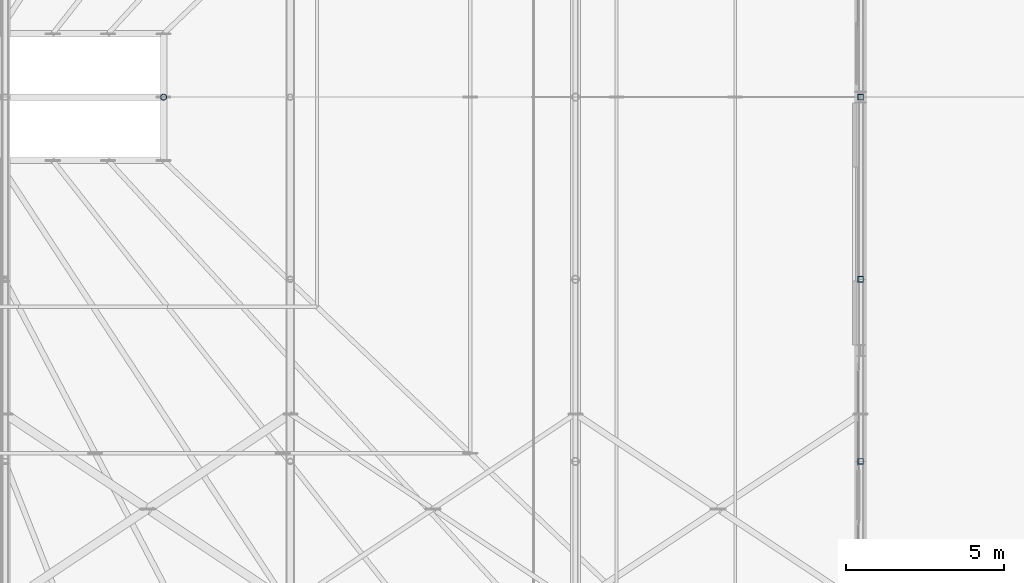
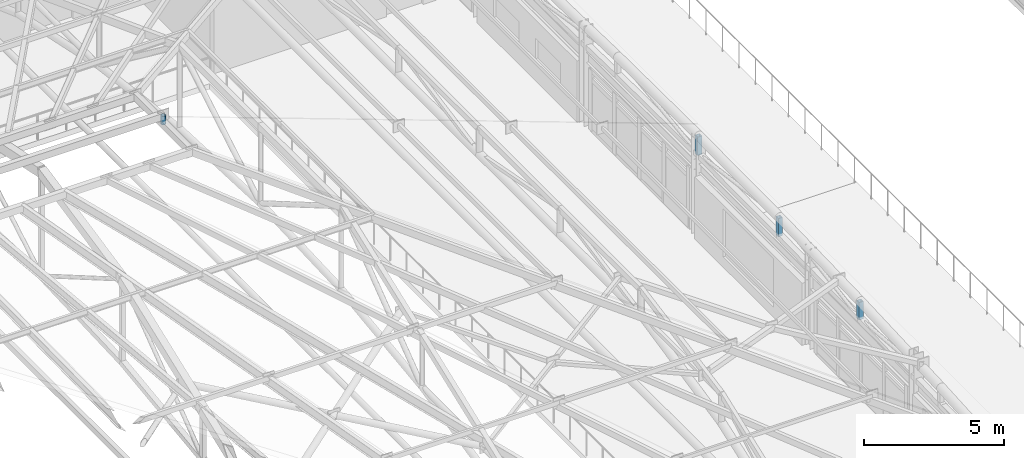
# One storey, part 129 of 168: 4 members.
"""IFC4 building model written with IfcOpenShell, lengths in metres."""

from ifc_helpers import new_model, si_unit, direction, frame, origin, origin_2d, place, context, subcontext, project, spatial, hollow_rectangle, hollow_circle, extrude, material, material_profile, profile_set, type_object, element, save


model = new_model("IFC4")

# Units and contexts
model_context = context("Model", 3, precision=1e-05, world=origin(), true_north=direction((0.0, 1.0)))
body_context = subcontext(model_context, "Body", "Model", "MODEL_VIEW")
ifc_project = project(units=[si_unit("LENGTHUNIT", "METRE"), si_unit("AREAUNIT", "SQUARE_METRE"), si_unit("VOLUMEUNIT", "CUBIC_METRE"), si_unit("PLANEANGLEUNIT", "RADIAN"), si_unit("MASSUNIT", "GRAM", prefix="KILO"), si_unit("THERMODYNAMICTEMPERATUREUNIT", "KELVIN"), si_unit("POWERUNIT", "WATT")], contexts=[model_context])

# Site, building, storey
site_placement = place(None, origin())
site = spatial("IfcSite", under=ifc_project, at=site_placement, CompositionType="ELEMENT")
building_placement = place(site_placement, origin())
building = spatial("IfcBuilding", under=site, at=building_placement, Name="Tepalcoro Natatorium and Aquatics Centre", CompositionType="ELEMENT")
storey_placement = place(building_placement, frame((0.0, 0.0, 10.199951171875)))
storey = spatial("IfcBuildingStorey", under=building, at=storey_placement, Name="L02", CompositionType="ELEMENT", Elevation=10.199951171875)

# Members
ifc_material = material(Name="Terracotta Painted Hollow Steel ASTM A500 Grade C (Fy 345 MPa)", Category="masonry")
ifc_material_profile_1 = material_profile(ifc_material, hollow_circle(Radius=0.096923828125, WallThickness=0.010009765625, at=origin_2d()), Name="CHS194X10")
ifc_profile_set_1 = profile_set([ifc_material_profile_1], Name="Terracotta Painted Hollow Steel ASTM A500 Grade C (Fy 345 MPa)")
member_type_1 = type_object("IfcMemberType", Name="MB_PS_CHS194x10", PredefinedType="POST", material=ifc_profile_set_1)
member_1_placement = place(storey_placement, frame((103.0, 36.0, 12.525146484375), z_axis=(0.0, 0.0, 1.0), x_axis=(1.0, 0.0, 0.0)))
element("IfcMember", 1, at=member_1_placement, inside=storey, type_object=member_type_1, Name="Pyramid Lantern King-Post E", PredefinedType="POST", context=body_context, shape_type="SweptSolid", body=[
    extrude(hollow_circle(Radius=0.096923828125, WallThickness=0.010009765625, at=origin_2d()), origin(), (0.0, 0.0, 1.0), 0.364990234375),
])
ifc_material_profile_2 = material_profile(ifc_material, hollow_rectangle(XDim=0.179931640625, YDim=0.179931640625, WallThickness=0.010009765625, at=origin_2d()), Name="HSS180X180X10")
ifc_profile_set_2 = profile_set([ifc_material_profile_2], Name="Terracotta Painted Hollow Steel ASTM A500 Grade C (Fy 345 MPa)")
member_type_2 = type_object("IfcMemberType", Name="MB_PS_HSS180x180x10", PredefinedType="POST", material=ifc_profile_set_2)
member_2_placement = place(storey_placement, frame((125.0, 24.5, 3.324951171875), z_axis=(0.0, 0.0, 1.0), x_axis=(1.0, 0.0, 0.0)))
element("IfcMember", 2, at=member_2_placement, inside=storey, type_object=member_type_2, Name="V1 Arched Truss Vertical Post 9", PredefinedType="POST", context=body_context, shape_type="SweptSolid", body=[
    extrude(hollow_rectangle(XDim=0.179931640625, YDim=0.179931640625, WallThickness=0.010009765625, at=origin_2d()), origin(), (0.0, 0.0, 1.0), 0.7626953125),
])
member_3_placement = place(storey_placement, frame((125.0, 30.25, 3.456298828125), z_axis=(0.0, 0.0, 1.0), x_axis=(1.0, 0.0, 0.0)))
element("IfcMember", 3, at=member_3_placement, inside=storey, type_object=member_type_2, Name="V1 Arched Truss Vertical Post 9", PredefinedType="POST", context=body_context, shape_type="SweptSolid", body=[
    extrude(hollow_rectangle(XDim=0.179931640625, YDim=0.179931640625, WallThickness=0.010009765625, at=origin_2d()), origin(), (0.0, 0.0, 1.0), 0.790771484375),
])
member_4_placement = place(storey_placement, frame((125.0, 36.0, 3.5), z_axis=(0.0, 0.0, 1.0), x_axis=(1.0, 0.0, 0.0)))
element("IfcMember", 4, at=member_4_placement, inside=storey, type_object=member_type_2, Name="V1 Arched Truss Vertical Post 9", PredefinedType="POST", context=body_context, shape_type="SweptSolid", body=[
    extrude(hollow_rectangle(XDim=0.179931640625, YDim=0.179931640625, WallThickness=0.010009765625, at=origin_2d()), origin(), (0.0, 0.0, 1.0), 0.800048828125),
])

save(model, "model.ifc")
